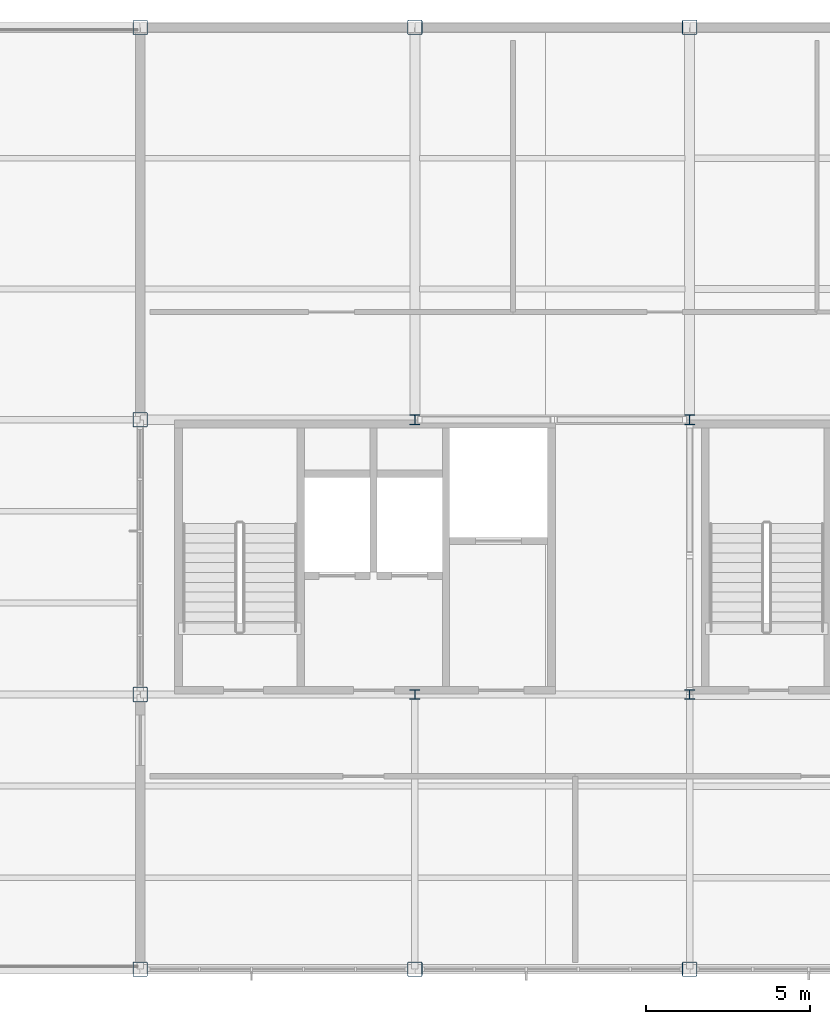
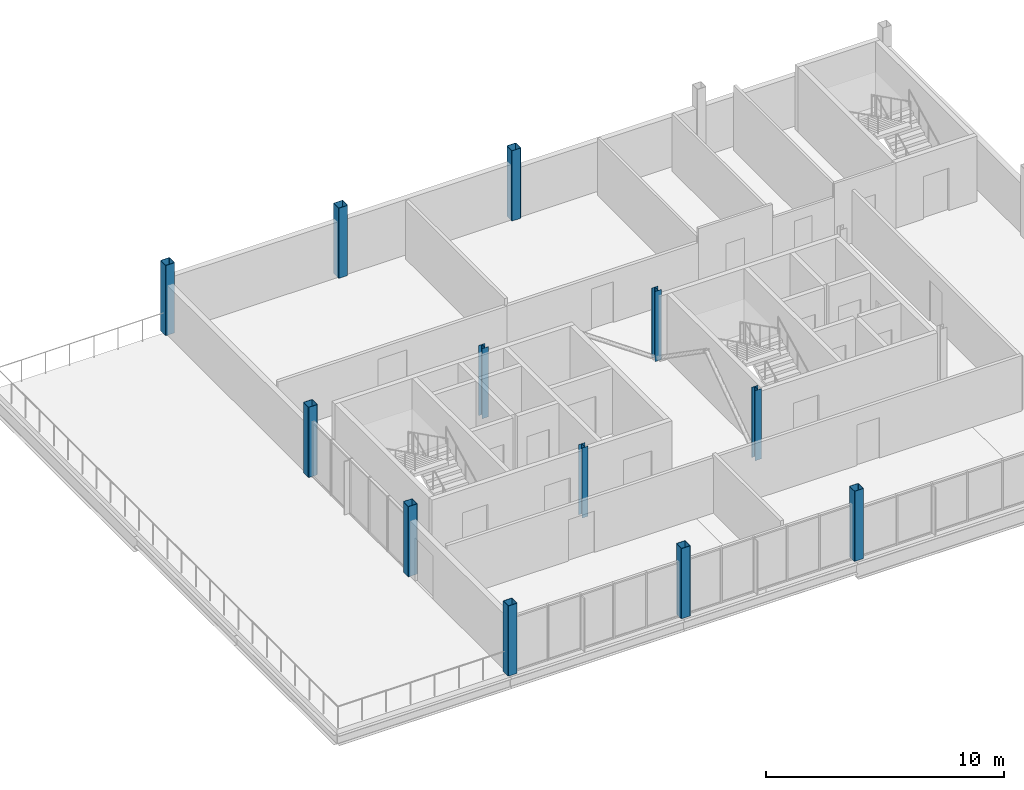
# One storey, part 1 of 14: 12 columns.
"""IFC4 building model written with IfcOpenShell, lengths in metres."""

from ifc_helpers import new_model, si_unit, direction, frame, origin, origin_2d, place, context, subcontext, project, spatial, hollow_rectangle, i_section, extrude, material, material_profile, profile_set, type_object, element, save


model = new_model("IFC4")

# Units and contexts
model_context = context("Model", 3, precision=1e-05, world=origin(), true_north=direction((0.0, 1.0)))
body_context = subcontext(model_context, "Body", "Model", "MODEL_VIEW")
ifc_project = project(units=[si_unit("LENGTHUNIT", "METRE"), si_unit("AREAUNIT", "SQUARE_METRE"), si_unit("VOLUMEUNIT", "CUBIC_METRE"), si_unit("PLANEANGLEUNIT", "RADIAN"), si_unit("MASSUNIT", "GRAM", prefix="KILO")], contexts=[model_context])

# Site, building, storey
site_placement = place(None, origin())
site = spatial("IfcSite", under=ifc_project, at=site_placement, CompositionType="ELEMENT")
building_placement = place(site_placement, origin())
building = spatial("IfcBuilding", under=site, at=building_placement, Name="Yukiwa Park Conservatory and Herbarium", CompositionType="ELEMENT")
storey_placement = place(building_placement, frame((0.0, 0.0, 50.39990234375)))
storey = spatial("IfcBuildingStorey", under=building, at=storey_placement, Name="L13", CompositionType="ELEMENT", Elevation=50.39990234375)

# Columns
ifc_material_1 = material(Name="Steel Q355D", Category="steel")
ifc_material_profile_1 = material_profile(ifc_material_1, hollow_rectangle(XDim=0.449951171875, YDim=0.449951171875, WallThickness=0.01806640625, InnerFilletRadius=0.01806640625, OuterFilletRadius=0.035888671875, at=origin_2d()), Name="BOX 450x450x18")
ifc_profile_set_1 = profile_set([ifc_material_profile_1], Name="Steel Q355D")
column_type_1 = type_object("IfcColumnType", Name="COL-TW-BOX450-EXT", PredefinedType="COLUMN", material=ifc_profile_set_1)
for number, where, z_axis, x_axis, name in (
    (1, (133.199951171875, 86.39990234375, 0.0), (0.0, 0.0, 1.0), (1.0, 0.0, 0.0), "L13 column V5-X1332-Y864"),
    (2, (133.199951171875, 94.800048828125, 0.0), (0.0, 0.0, 1.0), (1.0, 0.0, 0.0), "L13 column V5-X1332-Y948"),
    (3, (133.199951171875, 103.199951171875, 0.0), (0.0, 0.0, 1.0), (1.0, 0.0, 0.0), "L13 column V5-X1332-Y1032"),
    (4, (133.199951171875, 115.199951171875, 0.0), (0.0, 0.0, 1.0), (1.0, 0.0, 0.0), "L13 column V5-X1332-Y1152"),
    (5, (141.60009765625, 86.39990234375, 0.0), (0.0, 0.0, 1.0), (1.0, 0.0, 0.0), "L13 column V5-X1416-Y864"),
    (6, (141.60009765625, 115.199951171875, 0.0), (0.0, 0.0, 1.0), (1.0, 0.0, 0.0), "L13 column V5-X1416-Y1152"),
    (7, (150.0, 86.39990234375, 0.0), (0.0, 0.0, 1.0), (1.0, 0.0, 0.0), "L13 column V5-X1500-Y864"),
    (8, (150.0, 115.199951171875, 0.0), (0.0, 0.0, 1.0), (1.0, 0.0, 0.0), "L13 column V5-X1500-Y1152"),
):
    element("IfcColumn", number, at=place(storey_placement, frame(where, z_axis=z_axis, x_axis=x_axis)), inside=storey, type_object=column_type_1, Name=name, PredefinedType="COLUMN", context=body_context, shape_type="SweptSolid", body=[
        extrude(hollow_rectangle(XDim=0.449951171875, YDim=0.449951171875, WallThickness=0.01806640625, InnerFilletRadius=0.01806640625, OuterFilletRadius=0.035888671875, at=origin_2d()), origin(), (0.0, 0.0, 1.0), 3.60009765625),
    ])
ifc_material_2 = material(Name="Steel Q355D", Category="steel")
ifc_material_profile_2 = material_profile(ifc_material_2, i_section(OverallWidth=0.302001953125, OverallDepth=0.2939453125, WebThickness=0.011962890625, FlangeThickness=0.011962890625, FilletRadius=0.01806640625, at=origin_2d()), Name="HW 294x302x12x12")
ifc_profile_set_2 = profile_set([ifc_material_profile_2], Name="Steel Q355D")
column_type_2 = type_object("IfcColumnType", Name="COL-TW-HW294", PredefinedType="COLUMN", material=ifc_profile_set_2)
for number, where, z_axis, x_axis, name in (
    (9, (141.60009765625, 94.800048828125, 0.0), (0.0, 0.0, 1.0), (1.0, 0.0, 0.0), "L13 column V5-X1416-Y948"),
    (10, (141.60009765625, 103.199951171875, 0.0), (0.0, 0.0, 1.0), (1.0, 0.0, 0.0), "L13 column V5-X1416-Y1032"),
    (11, (150.0, 94.800048828125, 0.0), (0.0, 0.0, 1.0), (1.0, 0.0, 0.0), "L13 column V5-X1500-Y948"),
    (12, (150.0, 103.199951171875, 0.0), (0.0, 0.0, 1.0), (1.0, 0.0, 0.0), "L13 column V5-X1500-Y1032"),
):
    element("IfcColumn", number, at=place(storey_placement, frame(where, z_axis=z_axis, x_axis=x_axis)), inside=storey, type_object=column_type_2, Name=name, PredefinedType="COLUMN", context=body_context, shape_type="SweptSolid", body=[
        extrude(i_section(OverallWidth=0.302001953125, OverallDepth=0.2939453125, WebThickness=0.011962890625, FlangeThickness=0.011962890625, FilletRadius=0.01806640625, at=origin_2d()), origin(), (0.0, 0.0, 1.0), 3.60009765625),
    ])

save(model, "model.ifc")
